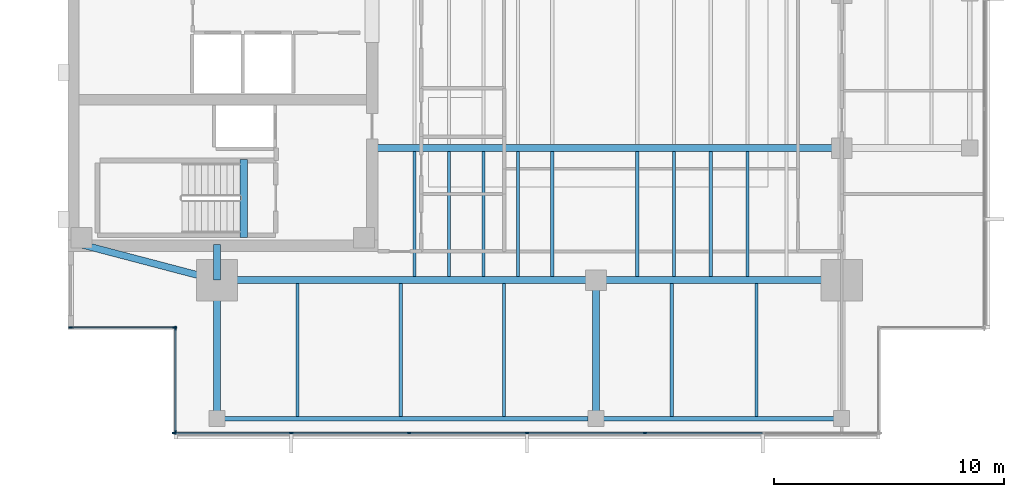
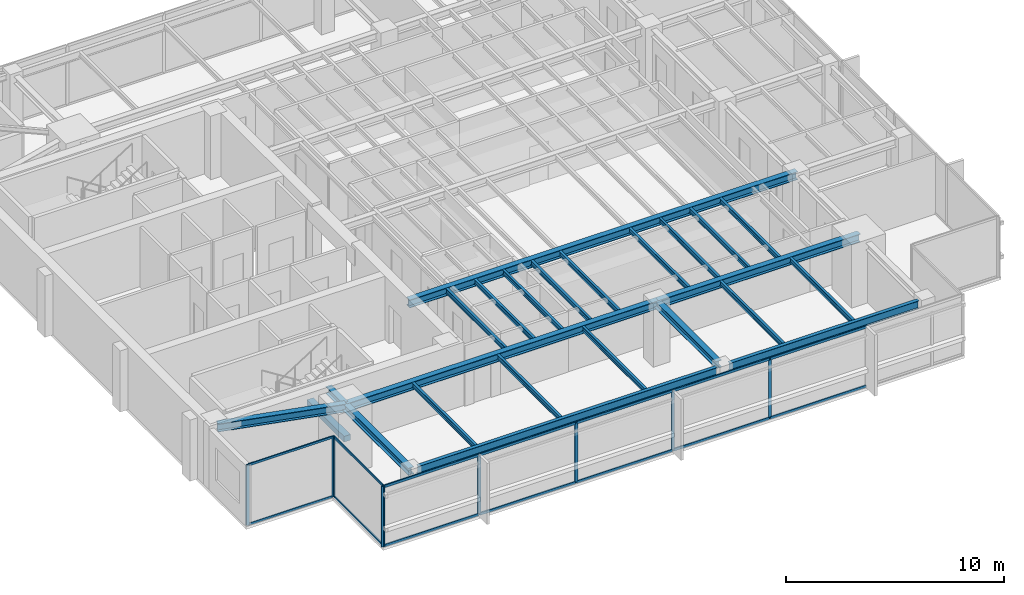
# One storey, part 2 of 14: 24 beams, 23 members, 3 elements without a shape of their own.
"""IFC4 building model written with IfcOpenShell, lengths in metres."""

from ifc_helpers import new_model, si_unit, direction, frame, origin, origin_2d, place, context, subcontext, project, spatial, rectangle, i_section, extrude, material, layer, layer_set, material_profile, profile_set, type_object, element, aggregate, save


model = new_model("IFC4")

# Units and contexts
model_context = context("Model", 3, precision=1e-05, world=origin(), true_north=direction((0.0, 1.0)))
body_context = subcontext(model_context, "Body", "Model", "MODEL_VIEW")
ifc_project = project(units=[si_unit("LENGTHUNIT", "METRE"), si_unit("AREAUNIT", "SQUARE_METRE"), si_unit("VOLUMEUNIT", "CUBIC_METRE"), si_unit("PLANEANGLEUNIT", "RADIAN"), si_unit("MASSUNIT", "GRAM", prefix="KILO")], contexts=[model_context])

# Site, building, storey
site_placement = place(None, origin())
site = spatial("IfcSite", under=ifc_project, at=site_placement, CompositionType="ELEMENT")
building_placement = place(site_placement, origin())
building = spatial("IfcBuilding", under=site, at=building_placement, Name="Kinhvarn Gate Tower", CompositionType="ELEMENT")
storey_placement = place(building_placement, frame((0.0, 0.0, 281.199951171875)))
storey = spatial("IfcBuildingStorey", under=building, at=storey_placement, Name="L75", CompositionType="ELEMENT", Elevation=281.199951171875)

# Beam
ifc_material_1 = material(Name="Concrete C50/60", Category="concrete")
ifc_material_profile_1 = material_profile(ifc_material_1, rectangle(XDim=0.340087890625, YDim=0.320068359375, at=origin_2d()), Name="RC 340x320")
ifc_profile_set_1 = profile_set([ifc_material_profile_1], Name="Concrete C50/60")
beam_type_1 = type_object("IfcBeamType", Name="BM-LND-500", PredefinedType="BEAM", material=ifc_profile_set_1)
beam_1_placement = place(storey_placement, frame((12.1650390625, 14.60009765625, -0.159912109375), z_axis=(0.0, 1.0, 0.0), x_axis=(-1.0, 0.0, 0.0)))
element("IfcBeam", 1, at=beam_1_placement, inside=storey, type_object=beam_type_1, Name="Stair ST1 Landing Nosing Beam (L75)", PredefinedType="BEAM", context=body_context, shape_type="SweptSolid", body=[
    extrude(rectangle(XDim=0.340087890625, YDim=0.320068359375, at=origin_2d()), origin(), (0.0, 0.0, 1.0), 3.39990234375),
])

# Curtain wall, members
ifc_material_2 = material(Name="Anodised aluminium AW-6063", Category="aluminium")
ifc_layer_1 = layer(ifc_material_2, 0.179931640625)
ifc_layer_set_1 = layer_set([ifc_layer_1], Name="Anodised aluminium AW-6063")
curtain_wall_type_1 = type_object("IfcCurtainWallType", Name="CW-SYS-3", PredefinedType="NOTDEFINED", material=ifc_layer_set_1)
curtain_wall_1_placement = place(storey_placement, origin())
curtain_wall_1 = element("IfcCurtainWall", 2, at=curtain_wall_1_placement, inside=storey, type_object=curtain_wall_type_1, Name="Curtain Wall CW3 (L75)", PredefinedType="NOTDEFINED")
ifc_material_profile_2 = material_profile(ifc_material_2, rectangle(XDim=0.06494140625, YDim=0.159912109375, at=origin_2d()), Name="ALU 65x160")
ifc_profile_set_2 = profile_set([ifc_material_profile_2], Name="Anodised aluminium AW-6063")
member_type_1 = type_object("IfcMemberType", Name="CW-MUL-160", PredefinedType="MULLION", material=ifc_profile_set_2)
member_1_placement = place(storey_placement, frame((9.132568359375, 6.090087890625, 0.0), z_axis=(0.0, 0.0, 1.0), x_axis=(0.0, 1.0, 0.0)))
member_1 = element("IfcMember", 3, at=member_1_placement, type_object=member_type_1, Name="CW3 mullion 1", PredefinedType="MULLION", context=body_context, shape_type="SweptSolid", body=[
    extrude(rectangle(XDim=0.06494140625, YDim=0.159912109375, at=origin_2d()), origin(), (0.0, 0.0, 1.0), 3.39013671875),
])
member_2_placement = place(storey_placement, frame((14.2333984375, 6.090087890625, 0.0), z_axis=(0.0, 0.0, 1.0), x_axis=(0.0, 1.0, 0.0)))
member_2 = element("IfcMember", 4, at=member_2_placement, type_object=member_type_1, Name="CW3 mullion 2", PredefinedType="MULLION", context=body_context, shape_type="SweptSolid", body=[
    extrude(rectangle(XDim=0.06494140625, YDim=0.159912109375, at=origin_2d()), origin(), (0.0, 0.0, 1.0), 3.39013671875),
])
member_3_placement = place(storey_placement, frame((19.36669921875, 6.090087890625, 0.0), z_axis=(0.0, 0.0, 1.0), x_axis=(0.0, 1.0, 0.0)))
member_3 = element("IfcMember", 5, at=member_3_placement, type_object=member_type_1, Name="CW3 mullion 3", PredefinedType="MULLION", context=body_context, shape_type="SweptSolid", body=[
    extrude(rectangle(XDim=0.06494140625, YDim=0.159912109375, at=origin_2d()), origin(), (0.0, 0.0, 1.0), 3.39013671875),
])
member_4_placement = place(storey_placement, frame((24.5, 6.090087890625, 0.0), z_axis=(0.0, 0.0, 1.0), x_axis=(0.0, 1.0, 0.0)))
member_4 = element("IfcMember", 6, at=member_4_placement, type_object=member_type_1, Name="CW3 mullion 4", PredefinedType="MULLION", context=body_context, shape_type="SweptSolid", body=[
    extrude(rectangle(XDim=0.06494140625, YDim=0.159912109375, at=origin_2d()), origin(), (0.0, 0.0, 1.0), 3.39013671875),
])
member_5_placement = place(storey_placement, frame((29.63330078125, 6.090087890625, 0.0), z_axis=(0.0, 0.0, 1.0), x_axis=(0.0, 1.0, 0.0)))
member_5 = element("IfcMember", 7, at=member_5_placement, type_object=member_type_1, Name="CW3 mullion 5", PredefinedType="MULLION", context=body_context, shape_type="SweptSolid", body=[
    extrude(rectangle(XDim=0.06494140625, YDim=0.159912109375, at=origin_2d()), origin(), (0.0, 0.0, 1.0), 3.39013671875),
])

ifc_layer_2 = layer(ifc_material_2, 0.179931640625)
ifc_layer_set_2 = layer_set([ifc_layer_2], Name="Anodised aluminium AW-6063")
curtain_wall_type_2 = type_object("IfcCurtainWallType", Name="CW-SYS-4", PredefinedType="NOTDEFINED", material=ifc_layer_set_2)
curtain_wall_2_placement = place(storey_placement, origin())
curtain_wall_2 = element("IfcCurtainWall", 8, at=curtain_wall_2_placement, inside=storey, type_object=curtain_wall_type_2, Name="Curtain Wall CW4 (L75)", PredefinedType="NOTDEFINED")
member_6_placement = place(storey_placement, frame((4.62255859375, 10.68994140625, 0.0), z_axis=(0.0, 0.0, 1.0), x_axis=(0.0, 1.0, 0.0)))
member_6 = element("IfcMember", 9, at=member_6_placement, type_object=member_type_1, Name="CW4 mullion 1", PredefinedType="MULLION", context=body_context, shape_type="SweptSolid", body=[
    extrude(rectangle(XDim=0.06494140625, YDim=0.159912109375, at=origin_2d()), origin(), (0.0, 0.0, 1.0), 3.39013671875),
])
member_7_placement = place(storey_placement, frame((9.157470703125, 10.68994140625, 0.0), z_axis=(0.0, 0.0, 1.0), x_axis=(0.0, 1.0, 0.0)))
member_7 = element("IfcMember", 10, at=member_7_placement, type_object=member_type_1, Name="CW4 mullion 2", PredefinedType="MULLION", context=body_context, shape_type="SweptSolid", body=[
    extrude(rectangle(XDim=0.06494140625, YDim=0.159912109375, at=origin_2d()), origin(), (0.0, 0.0, 1.0), 3.39013671875),
])

curtain_wall_3_placement = place(storey_placement, origin())
curtain_wall_3 = element("IfcCurtainWall", 11, at=curtain_wall_3_placement, inside=storey, type_object=curtain_wall_type_2, Name="Curtain Wall CW4 (L75)", PredefinedType="NOTDEFINED")
member_8_placement = place(storey_placement, frame((9.18994140625, 10.657470703125, 0.0), z_axis=(0.0, 0.0, 1.0), x_axis=(1.0, 0.0, 0.0)))
member_8 = element("IfcMember", 12, at=member_8_placement, type_object=member_type_1, Name="CW4 mullion 1", PredefinedType="MULLION", context=body_context, shape_type="SweptSolid", body=[
    extrude(rectangle(XDim=0.06494140625, YDim=0.159912109375, at=origin_2d()), origin(), (0.0, 0.0, 1.0), 3.39013671875),
])
member_9_placement = place(storey_placement, frame((9.18994140625, 6.12255859375, 0.0), z_axis=(0.0, 0.0, 1.0), x_axis=(1.0, 0.0, 0.0)))
member_9 = element("IfcMember", 13, at=member_9_placement, type_object=member_type_1, Name="CW4 mullion 2", PredefinedType="MULLION", context=body_context, shape_type="SweptSolid", body=[
    extrude(rectangle(XDim=0.06494140625, YDim=0.159912109375, at=origin_2d()), origin(), (0.0, 0.0, 1.0), 3.39013671875),
])

# Member
ifc_material_profile_3 = material_profile(ifc_material_2, rectangle(XDim=0.06494140625, YDim=0.1201171875, at=origin_2d()), Name="ALU 65x120")
ifc_profile_set_3 = profile_set([ifc_material_profile_3], Name="Anodised aluminium AW-6063")
member_type_2 = type_object("IfcMemberType", Name="CW-TRN-120", PredefinedType="USERDEFINED", material=ifc_profile_set_3)
member_10_placement = place(storey_placement, frame((4.655029296875, 10.68994140625, 0.032470703125), z_axis=(1.0, 0.0, 0.0), x_axis=(0.0, 1.0, 0.0)))
member_10 = element("IfcMember", 14, at=member_10_placement, type_object=member_type_2, Name="CW4 transom 1.1", ObjectType="TRANSOM", PredefinedType="USERDEFINED", context=body_context, shape_type="SweptSolid", body=[
    extrude(rectangle(XDim=0.06494140625, YDim=0.1201171875, at=origin_2d()), origin(), (0.0, 0.0, 1.0), 4.469970703125),
])

member_11_placement = place(storey_placement, frame((4.655029296875, 10.68994140625, 3.357666015625), z_axis=(1.0, 0.0, 0.0), x_axis=(0.0, 1.0, 0.0)))
member_11 = element("IfcMember", 15, at=member_11_placement, type_object=member_type_2, Name="CW4 transom 1.2", ObjectType="TRANSOM", PredefinedType="USERDEFINED", context=body_context, shape_type="SweptSolid", body=[
    extrude(rectangle(XDim=0.06494140625, YDim=0.1201171875, at=origin_2d()), origin(), (0.0, 0.0, 1.0), 4.469970703125),
])

aggregate(curtain_wall_2, [member_6, member_7, member_10, member_11])

member_12_placement = place(storey_placement, frame((9.18994140625, 10.625, 0.032470703125), z_axis=(0.0, -1.0, 0.0), x_axis=(1.0, 0.0, 0.0)))
member_12 = element("IfcMember", 16, at=member_12_placement, type_object=member_type_2, Name="CW4 transom 1.1", ObjectType="TRANSOM", PredefinedType="USERDEFINED", context=body_context, shape_type="SweptSolid", body=[
    extrude(rectangle(XDim=0.06494140625, YDim=0.1201171875, at=origin_2d()), origin(), (0.0, 0.0, 1.0), 4.469970703125),
])

member_13_placement = place(storey_placement, frame((9.18994140625, 10.625, 3.357666015625), z_axis=(0.0, -1.0, 0.0), x_axis=(1.0, 0.0, 0.0)))
member_13 = element("IfcMember", 17, at=member_13_placement, type_object=member_type_2, Name="CW4 transom 1.2", ObjectType="TRANSOM", PredefinedType="USERDEFINED", context=body_context, shape_type="SweptSolid", body=[
    extrude(rectangle(XDim=0.06494140625, YDim=0.1201171875, at=origin_2d()), origin(), (0.0, 0.0, 1.0), 4.469970703125),
])

aggregate(curtain_wall_3, [member_8, member_9, member_12, member_13])

ifc_material_profile_4 = material_profile(ifc_material_2, rectangle(XDim=0.070068359375, YDim=0.139892578125, at=origin_2d()), Name="ALU 70x140")
ifc_profile_set_4 = profile_set([ifc_material_profile_4], Name="Anodised aluminium AW-6063")
member_type_3 = type_object("IfcMemberType", Name="CW-TRN-140", PredefinedType="USERDEFINED", material=ifc_profile_set_4)
member_14_placement = place(storey_placement, frame((9.1650390625, 6.090087890625, 0.03515625), z_axis=(1.0, 0.0, 0.0), x_axis=(0.0, 1.0, 0.0)))
member_14 = element("IfcMember", 18, at=member_14_placement, type_object=member_type_3, Name="CW3 transom 1.1", ObjectType="TRANSOM", PredefinedType="USERDEFINED", context=body_context, shape_type="SweptSolid", body=[
    extrude(rectangle(XDim=0.070068359375, YDim=0.139892578125, at=origin_2d()), origin(), (0.0, 0.0, 1.0), 5.035888671875),
])

member_15_placement = place(storey_placement, frame((9.1650390625, 6.090087890625, 3.35498046875), z_axis=(1.0, 0.0, 0.0), x_axis=(0.0, 1.0, 0.0)))
member_15 = element("IfcMember", 19, at=member_15_placement, type_object=member_type_3, Name="CW3 transom 1.2", ObjectType="TRANSOM", PredefinedType="USERDEFINED", context=body_context, shape_type="SweptSolid", body=[
    extrude(rectangle(XDim=0.070068359375, YDim=0.139892578125, at=origin_2d()), origin(), (0.0, 0.0, 1.0), 5.035888671875),
])

member_16_placement = place(storey_placement, frame((14.265869140625, 6.090087890625, 0.03515625), z_axis=(1.0, 0.0, 0.0), x_axis=(0.0, 1.0, 0.0)))
member_16 = element("IfcMember", 20, at=member_16_placement, type_object=member_type_3, Name="CW3 transom 2.1", ObjectType="TRANSOM", PredefinedType="USERDEFINED", context=body_context, shape_type="SweptSolid", body=[
    extrude(rectangle(XDim=0.070068359375, YDim=0.139892578125, at=origin_2d()), origin(), (0.0, 0.0, 1.0), 5.068359375),
])

member_17_placement = place(storey_placement, frame((14.265869140625, 6.090087890625, 3.35498046875), z_axis=(1.0, 0.0, 0.0), x_axis=(0.0, 1.0, 0.0)))
member_17 = element("IfcMember", 21, at=member_17_placement, type_object=member_type_3, Name="CW3 transom 2.2", ObjectType="TRANSOM", PredefinedType="USERDEFINED", context=body_context, shape_type="SweptSolid", body=[
    extrude(rectangle(XDim=0.070068359375, YDim=0.139892578125, at=origin_2d()), origin(), (0.0, 0.0, 1.0), 5.068359375),
])

member_18_placement = place(storey_placement, frame((19.399169921875, 6.090087890625, 0.03515625), z_axis=(1.0, 0.0, 0.0), x_axis=(0.0, 1.0, 0.0)))
member_18 = element("IfcMember", 22, at=member_18_placement, type_object=member_type_3, Name="CW3 transom 3.1", ObjectType="TRANSOM", PredefinedType="USERDEFINED", context=body_context, shape_type="SweptSolid", body=[
    extrude(rectangle(XDim=0.070068359375, YDim=0.139892578125, at=origin_2d()), origin(), (0.0, 0.0, 1.0), 5.068359375),
])

member_19_placement = place(storey_placement, frame((19.399169921875, 6.090087890625, 3.35498046875), z_axis=(1.0, 0.0, 0.0), x_axis=(0.0, 1.0, 0.0)))
member_19 = element("IfcMember", 23, at=member_19_placement, type_object=member_type_3, Name="CW3 transom 3.2", ObjectType="TRANSOM", PredefinedType="USERDEFINED", context=body_context, shape_type="SweptSolid", body=[
    extrude(rectangle(XDim=0.070068359375, YDim=0.139892578125, at=origin_2d()), origin(), (0.0, 0.0, 1.0), 5.068359375),
])

member_20_placement = place(storey_placement, frame((24.532470703125, 6.090087890625, 0.03515625), z_axis=(1.0, 0.0, 0.0), x_axis=(0.0, 1.0, 0.0)))
member_20 = element("IfcMember", 24, at=member_20_placement, type_object=member_type_3, Name="CW3 transom 4.1", ObjectType="TRANSOM", PredefinedType="USERDEFINED", context=body_context, shape_type="SweptSolid", body=[
    extrude(rectangle(XDim=0.070068359375, YDim=0.139892578125, at=origin_2d()), origin(), (0.0, 0.0, 1.0), 5.068359375),
])

member_21_placement = place(storey_placement, frame((24.532470703125, 6.090087890625, 3.35498046875), z_axis=(1.0, 0.0, 0.0), x_axis=(0.0, 1.0, 0.0)))
member_21 = element("IfcMember", 25, at=member_21_placement, type_object=member_type_3, Name="CW3 transom 4.2", ObjectType="TRANSOM", PredefinedType="USERDEFINED", context=body_context, shape_type="SweptSolid", body=[
    extrude(rectangle(XDim=0.070068359375, YDim=0.139892578125, at=origin_2d()), origin(), (0.0, 0.0, 1.0), 5.068359375),
])

member_22_placement = place(storey_placement, frame((29.665771484375, 6.090087890625, 0.03515625), z_axis=(1.0, 0.0, 0.0), x_axis=(0.0, 1.0, 0.0)))
member_22 = element("IfcMember", 26, at=member_22_placement, type_object=member_type_3, Name="CW3 transom 5.1", ObjectType="TRANSOM", PredefinedType="USERDEFINED", context=body_context, shape_type="SweptSolid", body=[
    extrude(rectangle(XDim=0.070068359375, YDim=0.139892578125, at=origin_2d()), origin(), (0.0, 0.0, 1.0), 5.068359375),
])

member_23_placement = place(storey_placement, frame((29.665771484375, 6.090087890625, 3.35498046875), z_axis=(1.0, 0.0, 0.0), x_axis=(0.0, 1.0, 0.0)))
member_23 = element("IfcMember", 27, at=member_23_placement, type_object=member_type_3, Name="CW3 transom 5.2", ObjectType="TRANSOM", PredefinedType="USERDEFINED", context=body_context, shape_type="SweptSolid", body=[
    extrude(rectangle(XDim=0.070068359375, YDim=0.139892578125, at=origin_2d()), origin(), (0.0, 0.0, 1.0), 5.068359375),
])

aggregate(curtain_wall_1, [member_1, member_2, member_3, member_4, member_5, member_14, member_15, member_16, member_17, member_18, member_19, member_20, member_21, member_22, member_23])

# Beams
ifc_material_3 = material(Name="Steel S355", Category="steel")
ifc_material_profile_5 = material_profile(ifc_material_3, i_section(OverallWidth=0.300048828125, OverallDepth=0.39990234375, WebThickness=0.013427734375, FlangeThickness=0.02392578125, at=origin_2d()), Name="HEB 400")
ifc_profile_set_5 = profile_set([ifc_material_profile_5], Name="Steel S355")
beam_type_2 = type_object("IfcBeamType", Name="STL-HEB400", PredefinedType="BEAM", material=ifc_profile_set_5)
beam_2_placement = place(storey_placement, frame((11.0, 6.719970703125, 3.18994140625), z_axis=(0.0, 1.0, 0.0), x_axis=(-1.0, 0.0, 0.0)))
element("IfcBeam", 28, at=beam_2_placement, inside=storey, type_object=beam_type_2, Name="Floor Beam PG-12 (L75 MCW-S)", PredefinedType="BEAM", context=body_context, shape_type="SweptSolid", body=[
    extrude(i_section(OverallWidth=0.300048828125, OverallDepth=0.39990234375, WebThickness=0.013427734375, FlangeThickness=0.02392578125, at=origin_2d()), origin(), (0.0, 0.0, 1.0), 6.030029296875),
])
beam_3_placement = place(storey_placement, frame((11.0, 12.75, 3.18994140625), z_axis=(0.0, 1.0, 0.0), x_axis=(-1.0, 0.0, 0.0)))
element("IfcBeam", 29, at=beam_3_placement, inside=storey, type_object=beam_type_2, Name="Floor Beam PG-12 (L75 MCW-CS)", PredefinedType="BEAM", context=body_context, shape_type="SweptSolid", body=[
    extrude(i_section(OverallWidth=0.300048828125, OverallDepth=0.39990234375, WebThickness=0.013427734375, FlangeThickness=0.02392578125, at=origin_2d()), origin(), (0.0, 0.0, 1.0), 1.550048828125),
])
beam_4_placement = place(storey_placement, frame((27.5, 7.054931640625, 3.18994140625), z_axis=(0.0, 1.0, 0.0), x_axis=(-1.0, 0.0, 0.0)))
element("IfcBeam", 30, at=beam_4_placement, inside=storey, type_object=beam_type_2, Name="Floor Beam PG-12 (L75 SP27-S-TIE)", PredefinedType="BEAM", context=body_context, shape_type="SweptSolid", body=[
    extrude(i_section(OverallWidth=0.300048828125, OverallDepth=0.39990234375, WebThickness=0.013427734375, FlangeThickness=0.02392578125, at=origin_2d()), origin(), (0.0, 0.0, 1.0), 5.695068359375),
])
ifc_material_profile_6 = material_profile(ifc_material_3, i_section(OverallWidth=0.300048828125, OverallDepth=0.449951171875, WebThickness=0.013916015625, FlangeThickness=0.02587890625, at=origin_2d()), Name="HEB 450")
ifc_profile_set_6 = profile_set([ifc_material_profile_6], Name="Steel S355")
beam_type_3 = type_object("IfcBeamType", Name="STL-HEB450", PredefinedType="BEAM", material=ifc_profile_set_6)
beam_5_placement = place(storey_placement, frame((11.0, 12.75, 3.1650390625), z_axis=(1.0, 0.0, 0.0), x_axis=(0.0, 1.0, 0.0)))
element("IfcBeam", 31, at=beam_5_placement, inside=storey, type_object=beam_type_3, Name="Floor Beam PG-13 (L75 MG-S1)", PredefinedType="BEAM", context=body_context, shape_type="SweptSolid", body=[
    extrude(i_section(OverallWidth=0.300048828125, OverallDepth=0.449951171875, WebThickness=0.013916015625, FlangeThickness=0.02587890625, at=origin_2d()), origin(), (0.0, 0.0, 1.0), 16.5),
])
beam_6_placement = place(storey_placement, frame((27.5, 12.75, 3.1650390625), z_axis=(1.0, 0.0, 0.0), x_axis=(0.0, 1.0, 0.0)))
element("IfcBeam", 32, at=beam_6_placement, inside=storey, type_object=beam_type_3, Name="Floor Beam PG-13 (L75 MG-S2)", PredefinedType="BEAM", context=body_context, shape_type="SweptSolid", body=[
    extrude(i_section(OverallWidth=0.300048828125, OverallDepth=0.449951171875, WebThickness=0.013916015625, FlangeThickness=0.02587890625, at=origin_2d()), origin(), (0.0, 0.0, 1.0), 10.699951171875),
])
beam_7_placement = place(storey_placement, frame((5.10009765625, 14.300048828125, 3.1650390625), z_axis=(0.967177623957, -0.254101246979, 0.0), x_axis=(0.254101246979, 0.967177623957, 0.0)))
element("IfcBeam", 33, at=beam_7_placement, inside=storey, type_object=beam_type_3, Name="Floor Beam PG-13 (L75 MG-SW-DIAG)", PredefinedType="BEAM", context=body_context, shape_type="SweptSolid", body=[
    extrude(i_section(OverallWidth=0.300048828125, OverallDepth=0.449951171875, WebThickness=0.013916015625, FlangeThickness=0.02587890625, at=origin_2d()), origin(), (0.0, 0.0, 1.0), 6.10009765625),
])
beam_8_placement = place(storey_placement, frame((17.64990234375, 18.5, 3.1650390625), z_axis=(1.0, 0.0, 0.0), x_axis=(0.0, 1.0, 0.0)))
element("IfcBeam", 34, at=beam_8_placement, inside=storey, type_object=beam_type_3, Name="Floor Beam PG-13 (L75 EW1-Y18)", PredefinedType="BEAM", context=body_context, shape_type="SweptSolid", body=[
    extrude(i_section(OverallWidth=0.300048828125, OverallDepth=0.449951171875, WebThickness=0.013916015625, FlangeThickness=0.02587890625, at=origin_2d()), origin(), (0.0, 0.0, 1.0), 20.550048828125),
])
ifc_material_profile_7 = material_profile(ifc_material_3, i_section(OverallWidth=0.135009765625, OverallDepth=0.27001953125, WebThickness=0.006591796875, FlangeThickness=0.01025390625, at=origin_2d()), Name="IPE 270")
ifc_profile_set_7 = profile_set([ifc_material_profile_7], Name="Steel S355")
beam_type_4 = type_object("IfcBeamType", Name="STL-IPE270", PredefinedType="JOIST", material=ifc_profile_set_7)
for number, where, z_axis, x_axis, name in (
    (35, (19.60009765625, 12.89990234375, 3.255126953125), (0.0, 1.0, 0.0), (-1.0, 0.0, 0.0), "Floor Joist SB-01 (L75 JC-X196-0)"),
    (36, (21.10009765625, 12.89990234375, 3.255126953125), (0.0, 1.0, 0.0), (-1.0, 0.0, 0.0), "Floor Joist SB-01 (L75 JC-X211-0)"),
    (37, (22.60009765625, 12.89990234375, 3.255126953125), (0.0, 1.0, 0.0), (-1.0, 0.0, 0.0), "Floor Joist SB-01 (L75 JC-X226-0)"),
    (38, (24.10009765625, 12.89990234375, 3.255126953125), (0.0, 1.0, 0.0), (-1.0, 0.0, 0.0), "Floor Joist SB-01 (L75 JC-X241-0)"),
    (39, (25.60009765625, 12.89990234375, 3.255126953125), (0.0, 1.0, 0.0), (-1.0, 0.0, 0.0), "Floor Joist SB-01 (L75 JC-X256-0)"),
    (40, (29.300048828125, 12.89990234375, 3.255126953125), (0.0, 1.0, 0.0), (-1.0, 0.0, 0.0), "Floor Joist SB-01 (L75 JC-X293-0)"),
    (41, (30.89990234375, 12.89990234375, 3.255126953125), (0.0, 1.0, 0.0), (-1.0, 0.0, 0.0), "Floor Joist SB-01 (L75 JC-X309-0)"),
    (42, (32.5, 12.89990234375, 3.255126953125), (0.0, 1.0, 0.0), (-1.0, 0.0, 0.0), "Floor Joist SB-01 (L75 JC-X325-0)"),
    (43, (34.10009765625, 12.89990234375, 3.255126953125), (0.0, 1.0, 0.0), (-1.0, 0.0, 0.0), "Floor Joist SB-01 (L75 JC-X341-0)"),
):
    element("IfcBeam", number, at=place(storey_placement, frame(where, z_axis=z_axis, x_axis=x_axis)), inside=storey, type_object=beam_type_4, Name=name, PredefinedType="JOIST", context=body_context, shape_type="SweptSolid", body=[
        extrude(i_section(OverallWidth=0.135009765625, OverallDepth=0.27001953125, WebThickness=0.006591796875, FlangeThickness=0.01025390625, at=origin_2d()), origin(), (0.0, 0.0, 1.0), 5.4501953125),
    ])
for number, where, z_axis, x_axis, name in (
    (44, (14.5, 6.81494140625, 3.255126953125), (0.0, 1.0, 0.0), (-1.0, 0.0, 0.0), "Floor Joist SB-01 (L75 JS-X145)"),
    (45, (19.0, 6.81494140625, 3.255126953125), (0.0, 1.0, 0.0), (-1.0, 0.0, 0.0), "Floor Joist SB-01 (L75 JS-X190)"),
    (46, (23.5, 6.81494140625, 3.255126953125), (0.0, 1.0, 0.0), (-1.0, 0.0, 0.0), "Floor Joist SB-01 (L75 JS-X235)"),
    (47, (30.800048828125, 6.81494140625, 3.255126953125), (0.0, 1.0, 0.0), (-1.0, 0.0, 0.0), "Floor Joist SB-01 (L75 JS-X308)"),
    (48, (34.5, 6.81494140625, 3.255126953125), (0.0, 1.0, 0.0), (-1.0, 0.0, 0.0), "Floor Joist SB-01 (L75 JS-X345)"),
):
    element("IfcBeam", number, at=place(storey_placement, frame(where, z_axis=z_axis, x_axis=x_axis)), inside=storey, type_object=beam_type_4, Name=name, PredefinedType="JOIST", context=body_context, shape_type="SweptSolid", body=[
        extrude(i_section(OverallWidth=0.135009765625, OverallDepth=0.27001953125, WebThickness=0.006591796875, FlangeThickness=0.01025390625, at=origin_2d()), origin(), (0.0, 0.0, 1.0), 5.78515625),
    ])
ifc_material_profile_8 = material_profile(ifc_material_3, i_section(OverallWidth=0.18994140625, OverallDepth=0.449951171875, WebThickness=0.009521484375, FlangeThickness=0.0146484375, at=origin_2d()), Name="IPE 450")
ifc_profile_set_8 = profile_set([ifc_material_profile_8], Name="Steel S355")
beam_type_5 = type_object("IfcBeamType", Name="STL-IPE450", PredefinedType="JOIST", material=ifc_profile_set_8)
beam_9_placement = place(storey_placement, frame((11.3349609375, 6.719970703125, 3.1650390625), z_axis=(1.0, 0.0, 0.0), x_axis=(0.0, 1.0, 0.0)))
element("IfcBeam", 49, at=beam_9_placement, inside=storey, type_object=beam_type_5, Name="Floor Joist SB-06 (L75 SP-S1)", PredefinedType="JOIST", context=body_context, shape_type="SweptSolid", body=[
    extrude(i_section(OverallWidth=0.18994140625, OverallDepth=0.449951171875, WebThickness=0.009521484375, FlangeThickness=0.0146484375, at=origin_2d()), origin(), (0.0, 0.0, 1.0), 15.830078125),
])
beam_10_placement = place(storey_placement, frame((27.8349609375, 6.719970703125, 3.1650390625), z_axis=(1.0, 0.0, 0.0), x_axis=(0.0, 1.0, 0.0)))
element("IfcBeam", 50, at=beam_10_placement, inside=storey, type_object=beam_type_5, Name="Floor Joist SB-06 (L75 SP-S2)", PredefinedType="JOIST", context=body_context, shape_type="SweptSolid", body=[
    extrude(i_section(OverallWidth=0.18994140625, OverallDepth=0.449951171875, WebThickness=0.009521484375, FlangeThickness=0.0146484375, at=origin_2d()), origin(), (0.0, 0.0, 1.0), 10.030029296875),
])

save(model, "model.ifc")
